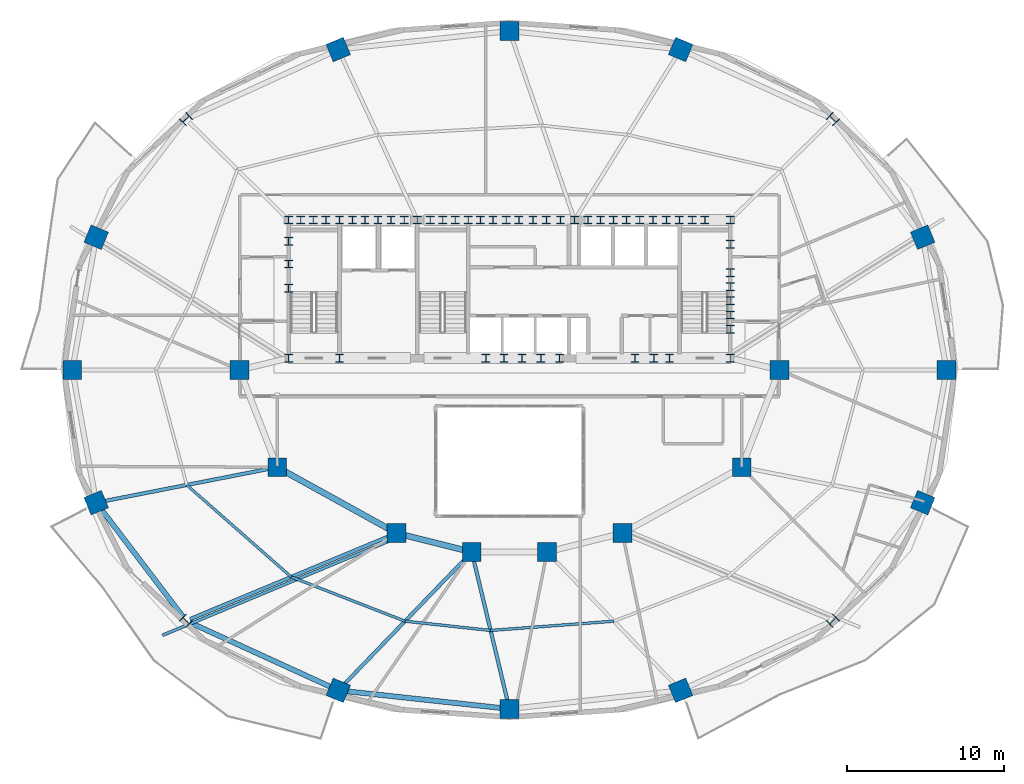
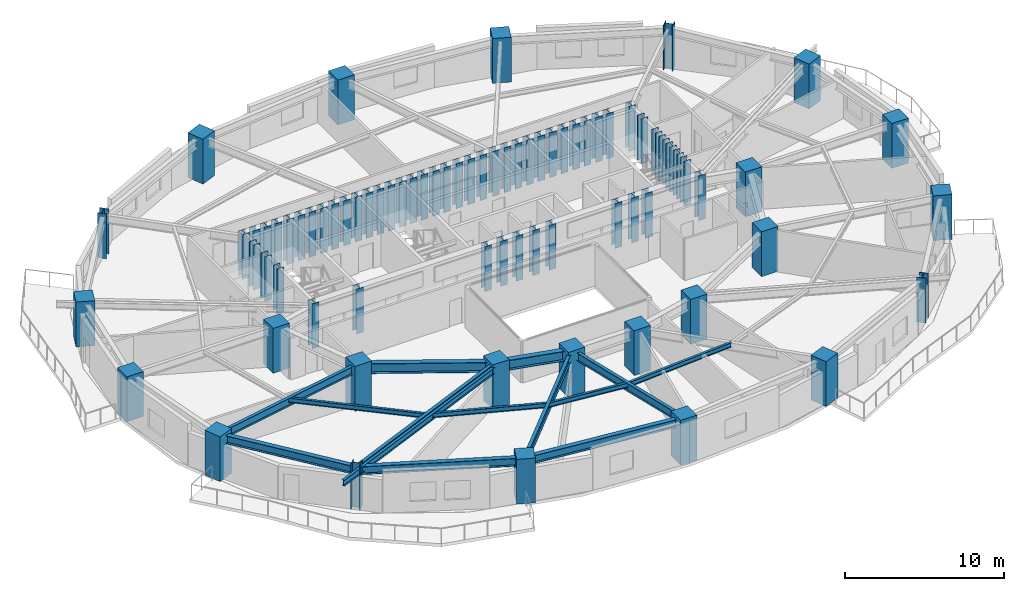
# One storey, part 1 of 12: 78 columns, 14 beams.
"""IFC4 building model written with IfcOpenShell, lengths in metres."""

from ifc_helpers import new_model, si_unit, direction, frame, origin, origin_2d, place, context, subcontext, project, spatial, rectangle, i_section, extrude, material, material_profile, profile_set, type_object, element, save


model = new_model("IFC4")

# Units and contexts
model_context = context("Model", 3, precision=1e-05, world=origin(), true_north=direction((0.0, 1.0)))
body_context = subcontext(model_context, "Body", "Model", "MODEL_VIEW")
ifc_project = project(units=[si_unit("LENGTHUNIT", "METRE"), si_unit("AREAUNIT", "SQUARE_METRE"), si_unit("VOLUMEUNIT", "CUBIC_METRE"), si_unit("PLANEANGLEUNIT", "RADIAN"), si_unit("MASSUNIT", "GRAM", prefix="KILO")], contexts=[model_context])

# Site, building, storey
site_placement = place(None, origin())
site = spatial("IfcSite", under=ifc_project, at=site_placement, CompositionType="ELEMENT")
building_placement = place(site_placement, origin())
building = spatial("IfcBuilding", under=site, at=building_placement, Name="Haldorwick Loom Tower", CompositionType="ELEMENT")
storey_placement = place(building_placement, frame((0.0, 0.0, 113.89990234375)))
storey = spatial("IfcBuildingStorey", under=building, at=storey_placement, Name="L30", CompositionType="ELEMENT", Elevation=113.89990234375)

# Columns
ifc_material_1 = material(Name="Concrete C60 (60 MPa)", Category="concrete")
ifc_material_profile_1 = material_profile(ifc_material_1, rectangle(XDim=1.199951171875, YDim=1.199951171875, at=origin_2d()), Name="RC1200X1200", Category="concrete")
ifc_profile_set_1 = profile_set([ifc_material_profile_1], Name="Concrete C60 (60 MPa)")
column_type_1 = type_object("IfcColumnType", Name="STR-COL-RC1200", PredefinedType="COLUMN", material=ifc_profile_set_1)
for number, where, z_axis, x_axis, name in (
    (1, (53.199951171875, 26.0, 0.0), (0.0, 0.0, 1.0), (1.0, 0.0, 0.0), "L30 Inner Column IC-01"),
    (2, (50.800048828125, 19.800048828125, 0.0), (0.0, 0.0, 1.0), (1.0, 0.0, 0.0), "L30 Inner Column IC-02"),
    (3, (43.199951171875, 15.60009765625, 0.0), (0.0, 0.0, 1.0), (1.0, 0.0, 0.0), "L30 Inner Column IC-03"),
    (4, (38.39990234375, 14.39990234375, 0.0), (0.0, 0.0, 1.0), (1.0, 0.0, 0.0), "L30 Inner Column IC-04"),
    (5, (33.60009765625, 14.39990234375, 0.0), (0.0, 0.0, 1.0), (1.0, 0.0, 0.0), "L30 Inner Column IC-05"),
    (6, (28.800048828125, 15.60009765625, 0.0), (0.0, 0.0, 1.0), (1.0, 0.0, 0.0), "L30 Inner Column IC-06"),
    (7, (21.199951171875, 19.800048828125, 0.0), (0.0, 0.0, 1.0), (1.0, 0.0, 0.0), "L30 Inner Column IC-07"),
    (8, (18.800048828125, 26.0, 0.0), (0.0, 0.0, 1.0), (1.0, 0.0, 0.0), "L30 Inner Column IC-08"),
    (9, (63.857666015625, 26.0, 0.0), (0.0, 0.0, 1.0), (1.0, 0.0, 0.0), "L30 Perimeter Pier Column P01"),
    (10, (62.33056640625, 34.457275390625, 0.0), (0.0, 0.0, 1.0), (0.923879532511, 0.382683432365, 0.0), "L30 Perimeter Pier Column P02"),
    (11, (46.906494140625, 46.417724609375, 0.0), (0.0, 0.0, 1.0), (0.382683432365, 0.923879532511, 0.0), "L30 Perimeter Pier Column P04"),
    (12, (36.0, 47.598388671875, 0.0), (0.0, 0.0, 1.0), (0.0, 1.0, 0.0), "L30 Perimeter Pier Column P05"),
    (13, (25.093505859375, 46.417724609375, 0.0), (0.0, 0.0, 1.0), (-0.382683432365, 0.923879532511, 0.0), "L30 Perimeter Pier Column P06"),
    (14, (9.66943359375, 34.457275390625, 0.0), (0.0, 0.0, 1.0), (-0.923879532511, 0.382683432365, 0.0), "L30 Perimeter Pier Column P08"),
    (15, (8.142333984375, 26.0, 0.0), (0.0, 0.0, 1.0), (-1.0, 0.0, 0.0), "L30 Perimeter Pier Column P09"),
    (16, (9.66943359375, 17.542724609375, 0.0), (0.0, 0.0, 1.0), (-0.923879532511, -0.382683432365, 0.0), "L30 Perimeter Pier Column P10"),
    (17, (25.093505859375, 5.582275390625, 0.0), (0.0, 0.0, 1.0), (-0.382683432365, -0.923879532511, 0.0), "L30 Perimeter Pier Column P12"),
    (18, (36.0, 4.401611328125, 0.0), (0.0, 0.0, 1.0), (0.0, -1.0, 0.0), "L30 Perimeter Pier Column P13"),
    (19, (46.906494140625, 5.582275390625, 0.0), (0.0, 0.0, 1.0), (0.382683432365, -0.923879532511, 0.0), "L30 Perimeter Pier Column P14"),
    (20, (62.33056640625, 17.542724609375, 0.0), (0.0, 0.0, 1.0), (0.923879532511, -0.382683432365, 0.0), "L30 Perimeter Pier Column P16"),
):
    element("IfcColumn", number, at=place(storey_placement, frame(where, z_axis=z_axis, x_axis=x_axis)), inside=storey, type_object=column_type_1, Name=name, PredefinedType="COLUMN", context=body_context, shape_type="SweptSolid", body=[
        extrude(rectangle(XDim=1.199951171875, YDim=1.199951171875, at=origin_2d()), origin(), (0.0, 0.0, 1.0), 3.4501953125),
    ])
ifc_material_2 = material(Name="Steel CSA G40.21 350WT", Category="steel")
ifc_material_profile_2 = material_profile(ifc_material_2, i_section(OverallWidth=0.5, OverallDepth=0.5, WebThickness=0.02197265625, FlangeThickness=0.031982421875, at=origin_2d()), Name="WWF500X500", Category="steel")
ifc_profile_set_2 = profile_set([ifc_material_profile_2], Name="Steel CSA G40.21 350WT")
column_type_2 = type_object("IfcColumnType", Name="STR-COL-WWF500", PredefinedType="COLUMN", material=ifc_profile_set_2)
for number, where, z_axis, x_axis, name in (
    (21, (21.929931640625, 35.550048828125, 0.0), (0.0, 0.0, 1.0), (1.0, 0.0, 0.0), "L30 Core Pilaster CB-01"),
    (22, (23.5, 35.550048828125, 0.0), (0.0, 0.0, 1.0), (1.0, 0.0, 0.0), "L30 Core Pilaster CB-02"),
    (23, (25.169921875, 35.550048828125, 0.0), (0.0, 0.0, 1.0), (1.0, 0.0, 0.0), "L30 Core Pilaster CB-03"),
    (24, (26.800048828125, 35.550048828125, 0.0), (0.0, 0.0, 1.0), (1.0, 0.0, 0.0), "L30 Core Pilaster CB-04"),
    (25, (28.449951171875, 35.550048828125, 0.0), (0.0, 0.0, 1.0), (1.0, 0.0, 0.0), "L30 Core Pilaster CB-05"),
    (26, (30.1298828125, 35.550048828125, 0.0), (0.0, 0.0, 1.0), (1.0, 0.0, 0.0), "L30 Core Pilaster CB-06"),
    (27, (31.75, 35.550048828125, 0.0), (0.0, 0.0, 1.0), (1.0, 0.0, 0.0), "L30 Core Pilaster CB-07"),
    (28, (33.3701171875, 35.550048828125, 0.0), (0.0, 0.0, 1.0), (1.0, 0.0, 0.0), "L30 Core Pilaster CB-08"),
    (29, (34.949951171875, 35.550048828125, 0.0), (0.0, 0.0, 1.0), (1.0, 0.0, 0.0), "L30 Core Pilaster CB-09"),
    (30, (36.60009765625, 35.550048828125, 0.0), (0.0, 0.0, 1.0), (1.0, 0.0, 0.0), "L30 Core Pilaster CB-10"),
    (31, (38.35009765625, 35.550048828125, 0.0), (0.0, 0.0, 1.0), (1.0, 0.0, 0.0), "L30 Core Pilaster CB-11"),
    (32, (40.14990234375, 35.550048828125, 0.0), (0.0, 0.0, 1.0), (1.0, 0.0, 0.0), "L30 Core Pilaster CB-12"),
    (33, (41.800048828125, 35.550048828125, 0.0), (0.0, 0.0, 1.0), (1.0, 0.0, 0.0), "L30 Core Pilaster CB-13"),
    (34, (43.449951171875, 35.550048828125, 0.0), (0.0, 0.0, 1.0), (1.0, 0.0, 0.0), "L30 Core Pilaster CB-14"),
    (35, (45.14990234375, 35.550048828125, 0.0), (0.0, 0.0, 1.0), (1.0, 0.0, 0.0), "L30 Core Pilaster CB-15"),
    (36, (46.830078125, 35.550048828125, 0.0), (0.0, 0.0, 1.0), (1.0, 0.0, 0.0), "L30 Core Pilaster CB-16"),
    (37, (48.449951171875, 35.550048828125, 0.0), (0.0, 0.0, 1.0), (1.0, 0.0, 0.0), "L30 Core Pilaster CB-17"),
    (38, (50.070068359375, 35.550048828125, 0.0), (0.0, 0.0, 1.0), (1.0, 0.0, 0.0), "L30 Core Pilaster CB-18"),
    (39, (21.929931640625, 26.75, 0.0), (0.0, 0.0, 1.0), (1.0, 0.0, 0.0), "L30 Core Pilaster CB-19"),
    (40, (25.169921875, 26.75, 0.0), (0.0, 0.0, 1.0), (1.0, 0.0, 0.0), "L30 Core Pilaster CB-20"),
    (41, (34.5, 26.75, 0.0), (0.0, 0.0, 1.0), (1.0, 0.0, 0.0), "L30 Core Pilaster CB-21"),
    (42, (36.800048828125, 26.75, 0.0), (0.0, 0.0, 1.0), (1.0, 0.0, 0.0), "L30 Core Pilaster CB-22"),
    (43, (39.199951171875, 26.75, 0.0), (0.0, 0.0, 1.0), (1.0, 0.0, 0.0), "L30 Core Pilaster CB-23"),
    (44, (45.199951171875, 26.75, 0.0), (0.0, 0.0, 1.0), (1.0, 0.0, 0.0), "L30 Core Pilaster CB-24"),
    (45, (50.070068359375, 26.75, 0.0), (0.0, 0.0, 1.0), (1.0, 0.0, 0.0), "L30 Core Pilaster CB-25"),
    (46, (21.929931640625, 31.199951171875, 0.0), (0.0, 0.0, 1.0), (1.0, 0.0, 0.0), "L30 Core Pilaster CB-26"),
    (47, (21.929931640625, 32.75, 0.0), (0.0, 0.0, 1.0), (1.0, 0.0, 0.0), "L30 Core Pilaster CB-27"),
    (48, (21.929931640625, 34.199951171875, 0.0), (0.0, 0.0, 1.0), (1.0, 0.0, 0.0), "L30 Core Pilaster CB-28"),
    (49, (50.070068359375, 28.60009765625, 0.0), (0.0, 0.0, 1.0), (1.0, 0.0, 0.0), "L30 Core Pilaster CB-29"),
    (50, (50.070068359375, 30.39990234375, 0.0), (0.0, 0.0, 1.0), (1.0, 0.0, 0.0), "L30 Core Pilaster CB-30"),
    (51, (50.070068359375, 32.199951171875, 0.0), (0.0, 0.0, 1.0), (1.0, 0.0, 0.0), "L30 Core Pilaster CB-31"),
    (52, (50.070068359375, 34.0, 0.0), (0.0, 0.0, 1.0), (1.0, 0.0, 0.0), "L30 Core Pilaster CB-32"),
    (53, (22.699951171875, 35.550048828125, 0.0), (0.0, 0.0, 1.0), (1.0, 0.0, 0.0), "L30 Core Pilaster CB-33"),
    (54, (27.6201171875, 35.550048828125, 0.0), (0.0, 0.0, 1.0), (1.0, 0.0, 0.0), "L30 Core Pilaster CB-34"),
    (55, (32.550048828125, 35.550048828125, 0.0), (0.0, 0.0, 1.0), (1.0, 0.0, 0.0), "L30 Core Pilaster CB-35"),
    (56, (37.5, 35.550048828125, 0.0), (0.0, 0.0, 1.0), (1.0, 0.0, 0.0), "L30 Core Pilaster CB-36"),
    (57, (42.6201171875, 35.550048828125, 0.0), (0.0, 0.0, 1.0), (1.0, 0.0, 0.0), "L30 Core Pilaster CB-37"),
    (58, (47.64990234375, 35.550048828125, 0.0), (0.0, 0.0, 1.0), (1.0, 0.0, 0.0), "L30 Core Pilaster CB-38"),
    (59, (24.300048828125, 35.550048828125, 0.0), (0.0, 0.0, 1.0), (1.0, 0.0, 0.0), "L30 Core Pilaster CB-39"),
    (60, (26.0, 35.550048828125, 0.0), (0.0, 0.0, 1.0), (1.0, 0.0, 0.0), "L30 Core Pilaster CB-40"),
    (61, (29.300048828125, 35.550048828125, 0.0), (0.0, 0.0, 1.0), (1.0, 0.0, 0.0), "L30 Core Pilaster CB-41"),
    (62, (30.949951171875, 35.550048828125, 0.0), (0.0, 0.0, 1.0), (1.0, 0.0, 0.0), "L30 Core Pilaster CB-42"),
    (63, (34.14990234375, 35.550048828125, 0.0), (0.0, 0.0, 1.0), (1.0, 0.0, 0.0), "L30 Core Pilaster CB-43"),
    (64, (35.800048828125, 35.550048828125, 0.0), (0.0, 0.0, 1.0), (1.0, 0.0, 0.0), "L30 Core Pilaster CB-44"),
    (65, (39.25, 35.550048828125, 0.0), (0.0, 0.0, 1.0), (1.0, 0.0, 0.0), "L30 Core Pilaster CB-45"),
    (66, (41.0, 35.550048828125, 0.0), (0.0, 0.0, 1.0), (1.0, 0.0, 0.0), "L30 Core Pilaster CB-46"),
    (67, (44.300048828125, 35.550048828125, 0.0), (0.0, 0.0, 1.0), (1.0, 0.0, 0.0), "L30 Core Pilaster CB-47"),
    (68, (46.0, 35.550048828125, 0.0), (0.0, 0.0, 1.0), (1.0, 0.0, 0.0), "L30 Core Pilaster CB-48"),
    (69, (50.070068359375, 29.5, 0.0), (0.0, 0.0, 1.0), (1.0, 0.0, 0.0), "L30 Core Pilaster CB-49"),
    (70, (50.070068359375, 31.300048828125, 0.0), (0.0, 0.0, 1.0), (1.0, 0.0, 0.0), "L30 Core Pilaster CB-50"),
    (71, (35.64990234375, 26.75, 0.0), (0.0, 0.0, 1.0), (1.0, 0.0, 0.0), "L30 Core Pilaster CB-51"),
    (72, (38.0, 26.75, 0.0), (0.0, 0.0, 1.0), (1.0, 0.0, 0.0), "L30 Core Pilaster CB-52"),
    (73, (44.0, 26.75, 0.0), (0.0, 0.0, 1.0), (1.0, 0.0, 0.0), "L30 Core Pilaster CB-53"),
    (74, (46.199951171875, 26.75, 0.0), (0.0, 0.0, 1.0), (1.0, 0.0, 0.0), "L30 Core Pilaster CB-54"),
):
    element("IfcColumn", number, at=place(storey_placement, frame(where, z_axis=z_axis, x_axis=x_axis)), inside=storey, type_object=column_type_2, Name=name, PredefinedType="COLUMN", context=body_context, shape_type="SweptSolid", body=[
        extrude(i_section(OverallWidth=0.5, OverallDepth=0.5, WebThickness=0.02197265625, FlangeThickness=0.031982421875, at=origin_2d()), origin(), (0.0, 0.0, 1.0), 3.4501953125),
    ])
ifc_material_profile_3 = material_profile(ifc_material_2, i_section(OverallWidth=0.60009765625, OverallDepth=0.60009765625, WebThickness=0.02490234375, FlangeThickness=0.035888671875, at=origin_2d()), Name="WWF600X600", Category="steel")
ifc_profile_set_3 = profile_set([ifc_material_profile_3], Name="Steel CSA G40.21 350WT")
column_type_3 = type_object("IfcColumnType", Name="STR-COL-WWF600", PredefinedType="COLUMN", material=ifc_profile_set_3)
for number, where, z_axis, x_axis, name in (
    (75, (56.606689453125, 41.981689453125, 0.0), (0.0, 0.0, 1.0), (0.707106781187, 0.707106781187, 0.0), "L30 Perimeter Pier Column P03"),
    (76, (15.393310546875, 41.981689453125, 0.0), (0.0, 0.0, 1.0), (-0.707106781187, 0.707106781187, 0.0), "L30 Perimeter Pier Column P07"),
    (77, (15.393310546875, 10.018310546875, 0.0), (0.0, 0.0, 1.0), (-0.707106781187, -0.707106781187, 0.0), "L30 Perimeter Pier Column P11"),
    (78, (56.606689453125, 10.018310546875, 0.0), (0.0, 0.0, 1.0), (0.707106781187, -0.707106781187, 0.0), "L30 Perimeter Pier Column P15"),
):
    element("IfcColumn", number, at=place(storey_placement, frame(where, z_axis=z_axis, x_axis=x_axis)), inside=storey, type_object=column_type_3, Name=name, PredefinedType="COLUMN", context=body_context, shape_type="SweptSolid", body=[
        extrude(i_section(OverallWidth=0.60009765625, OverallDepth=0.60009765625, WebThickness=0.02490234375, FlangeThickness=0.035888671875, at=origin_2d()), origin(), (0.0, 0.0, 1.0), 3.4501953125),
    ])

# Beams
ifc_material_3 = material(Name="Steel CSA G40.21 350W", Category="steel")
ifc_material_profile_4 = material_profile(ifc_material_3, i_section(OverallWidth=0.193115234375, OverallDepth=0.466064453125, WebThickness=0.011474609375, FlangeThickness=0.01904296875, at=origin_2d()), Name="W460X97", Category="steel")
ifc_profile_set_4 = profile_set([ifc_material_profile_4], Name="Steel CSA G40.21 350W")
beam_type_1 = type_object("IfcBeamType", Name="STR-BM-BAL460", PredefinedType="BEAM", material=ifc_profile_set_4)
beam_1_placement = place(storey_placement, frame((28.427490234375, 15.1416015625, 2.97705078125), z_axis=(-0.923185561192, -0.38435454935, 0.0), x_axis=(0.38435454935, -0.923185561192, 0.0)))
element("IfcBeam", 79, at=beam_1_placement, inside=storey, type_object=beam_type_1, Name="L30 Continuous Back-Spanned Balcony Beam 2", PredefinedType="BEAM", context=body_context, shape_type="SweptSolid", body=[
    extrude(i_section(OverallWidth=0.193115234375, OverallDepth=0.466064453125, WebThickness=0.011474609375, FlangeThickness=0.01904296875, at=origin_2d()), origin(), (0.0, 0.0, 1.0), 15.752197265625),
])
ifc_material_profile_5 = material_profile(ifc_material_3, i_section(OverallWidth=0.172119140625, OverallDepth=0.35791015625, WebThickness=0.0078125, FlangeThickness=0.01318359375, at=origin_2d()), Name="W360X57", Category="steel")
ifc_profile_set_5 = profile_set([ifc_material_profile_5], Name="Steel CSA G40.21 350W")
beam_type_2 = type_object("IfcBeamType", Name="STR-BM-J360", PredefinedType="JOIST", material=ifc_profile_set_5)
beam_2_placement = place(storey_placement, frame((15.434814453125, 18.67138671875, 3.031005859375), z_axis=(0.750721157729, -0.660619212057, 0.0), x_axis=(0.660619212057, 0.750721157729, 0.0)))
element("IfcBeam", 80, at=beam_2_placement, inside=storey, type_object=beam_type_2, Name="L30 Mid-Bay Secondary Joist 10", PredefinedType="JOIST", context=body_context, shape_type="SweptSolid", body=[
    extrude(i_section(OverallWidth=0.172119140625, OverallDepth=0.35791015625, WebThickness=0.0078125, FlangeThickness=0.01318359375, at=origin_2d()), origin(), (0.0, 0.0, 1.0), 8.8740234375),
])
beam_3_placement = place(storey_placement, frame((22.0966796875, 12.80908203125, 3.031005859375), z_axis=(0.932072983051, -0.362270553959, 0.0), x_axis=(0.362270553959, 0.932072983051, 0.0)))
element("IfcBeam", 81, at=beam_3_placement, inside=storey, type_object=beam_type_2, Name="L30 Mid-Bay Secondary Joist 11", PredefinedType="JOIST", context=body_context, shape_type="SweptSolid", body=[
    extrude(i_section(OverallWidth=0.172119140625, OverallDepth=0.35791015625, WebThickness=0.0078125, FlangeThickness=0.01318359375, at=origin_2d()), origin(), (0.0, 0.0, 1.0), 7.7783203125),
])
beam_4_placement = place(storey_placement, frame((29.3466796875, 9.9912109375, 3.031005859375), z_axis=(0.994191869342, -0.107622148904, 0.0), x_axis=(0.107622148904, 0.994191869342, 0.0)))
element("IfcBeam", 82, at=beam_4_placement, inside=storey, type_object=beam_type_2, Name="L30 Mid-Bay Secondary Joist 12", PredefinedType="JOIST", context=body_context, shape_type="SweptSolid", body=[
    extrude(i_section(OverallWidth=0.172119140625, OverallDepth=0.35791015625, WebThickness=0.0078125, FlangeThickness=0.01318359375, at=origin_2d()), origin(), (0.0, 0.0, 1.0), 5.485107421875),
])
beam_5_placement = place(storey_placement, frame((34.800048828125, 9.40087890625, 3.031005859375), z_axis=(0.99718663731, 0.074958724439, 0.0), x_axis=(-0.074958724439, 0.99718663731, 0.0)))
element("IfcBeam", 83, at=beam_5_placement, inside=storey, type_object=beam_type_2, Name="L30 Mid-Bay Secondary Joist 13", PredefinedType="JOIST", context=body_context, shape_type="SweptSolid", body=[
    extrude(i_section(OverallWidth=0.172119140625, OverallDepth=0.35791015625, WebThickness=0.0078125, FlangeThickness=0.01318359375, at=origin_2d()), origin(), (0.0, 0.0, 1.0), 7.87548828125),
])
ifc_material_profile_6 = material_profile(ifc_material_3, i_section(OverallWidth=0.324951171875, OverallDepth=0.615966796875, WebThickness=0.013916015625, FlangeThickness=0.021484375, at=origin_2d()), Name="W610X174", Category="steel")
ifc_profile_set_6 = profile_set([ifc_material_profile_6], Name="Steel CSA G40.21 350W")
beam_type_3 = type_object("IfcBeamType", Name="STR-BM-SP610", PredefinedType="SPANDREL", material=ifc_profile_set_6)
beam_6_placement = place(storey_placement, frame((9.984130859375, 17.12890625, 2.902099609375), z_axis=(0.605453508047, -0.795880675475, 0.0), x_axis=(0.795880675475, 0.605453508047, 0.0)))
element("IfcBeam", 84, at=beam_6_placement, inside=storey, type_object=beam_type_3, Name="L30 Perimeter Spandrel 10", PredefinedType="SPANDREL", context=body_context, shape_type="SweptSolid", body=[
    extrude(i_section(OverallWidth=0.324951171875, OverallDepth=0.615966796875, WebThickness=0.013916015625, FlangeThickness=0.021484375, at=origin_2d()), origin(), (0.0, 0.0, 1.0), 8.6591796875),
])
beam_7_placement = place(storey_placement, frame((15.643310546875, 9.90380859375, 2.902099609375), z_axis=(0.909423969306, -0.415870225011, 0.0), x_axis=(0.415870225011, 0.909423969306, 0.0)))
element("IfcBeam", 85, at=beam_7_placement, inside=storey, type_object=beam_type_3, Name="L30 Perimeter Spandrel 11", PredefinedType="SPANDREL", context=body_context, shape_type="SweptSolid", body=[
    extrude(i_section(OverallWidth=0.324951171875, OverallDepth=0.615966796875, WebThickness=0.013916015625, FlangeThickness=0.021484375, at=origin_2d()), origin(), (0.0, 0.0, 1.0), 9.871337890625),
])
beam_8_placement = place(storey_placement, frame((25.610595703125, 5.5263671875, 2.902099609375), z_axis=(0.994190135627, -0.107638163409, 0.0), x_axis=(0.107638163409, 0.994190135627, 0.0)))
element("IfcBeam", 86, at=beam_8_placement, inside=storey, type_object=beam_type_3, Name="L30 Perimeter Spandrel 12", PredefinedType="SPANDREL", context=body_context, shape_type="SweptSolid", body=[
    extrude(i_section(OverallWidth=0.324951171875, OverallDepth=0.615966796875, WebThickness=0.013916015625, FlangeThickness=0.021484375, at=origin_2d()), origin(), (0.0, 0.0, 1.0), 9.929931640625),
])
ifc_material_profile_7 = material_profile(ifc_material_3, i_section(OverallWidth=0.22998046875, OverallDepth=0.616943359375, WebThickness=0.01318359375, FlangeThickness=0.022216796875, at=origin_2d()), Name="W610X140", Category="steel")
ifc_profile_set_7 = profile_set([ifc_material_profile_7], Name="Steel CSA G40.21 350W")
beam_type_4 = type_object("IfcBeamType", Name="STR-BM-W610B", PredefinedType="BEAM", material=ifc_profile_set_7)
beam_9_placement = place(storey_placement, frame((20.689697265625, 19.7001953125, 2.901611328125), z_axis=(-0.981369581426, -0.192129499692, 0.0), x_axis=(0.192129499692, -0.981369581426, 0.0)))
element("IfcBeam", 87, at=beam_9_placement, inside=storey, type_object=beam_type_4, Name="L30 Radial Floor Girder 10", PredefinedType="BEAM", context=body_context, shape_type="SweptSolid", body=[
    extrude(i_section(OverallWidth=0.22998046875, OverallDepth=0.616943359375, WebThickness=0.01318359375, FlangeThickness=0.022216796875, at=origin_2d()), origin(), (0.0, 0.0, 1.0), 10.70947265625),
])
beam_10_placement = place(storey_placement, frame((28.31982421875, 15.400146484375, 2.901611328125), z_axis=(-0.923183704764, -0.384359008297, 0.0), x_axis=(0.384359008297, -0.923183704764, 0.0)))
element("IfcBeam", 88, at=beam_10_placement, inside=storey, type_object=beam_type_4, Name="L30 Radial Floor Girder 11", PredefinedType="BEAM", context=body_context, shape_type="SweptSolid", body=[
    extrude(i_section(OverallWidth=0.22998046875, OverallDepth=0.616943359375, WebThickness=0.01318359375, FlangeThickness=0.022216796875, at=origin_2d()), origin(), (0.0, 0.0, 1.0), 13.72705078125),
])
beam_11_placement = place(storey_placement, frame((33.239013671875, 14.02587890625, 2.901611328125), z_axis=(-0.694287071595, -0.719698174387, 0.0), x_axis=(0.719698174387, -0.694287071595, 0.0)))
element("IfcBeam", 89, at=beam_11_placement, inside=storey, type_object=beam_type_4, Name="L30 Radial Floor Girder 12", PredefinedType="BEAM", context=body_context, shape_type="SweptSolid", body=[
    extrude(i_section(OverallWidth=0.22998046875, OverallDepth=0.616943359375, WebThickness=0.01318359375, FlangeThickness=0.022216796875, at=origin_2d()), origin(), (0.0, 0.0, 1.0), 11.212158203125),
])
beam_12_placement = place(storey_placement, frame((33.721435546875, 13.894287109375, 2.901611328125), z_axis=(0.233406920764, -0.972379148964, 0.0), x_axis=(0.972379148964, 0.233406920764, 0.0)))
element("IfcBeam", 90, at=beam_12_placement, inside=storey, type_object=beam_type_4, Name="L30 Radial Floor Girder 13", PredefinedType="BEAM", context=body_context, shape_type="SweptSolid", body=[
    extrude(i_section(OverallWidth=0.22998046875, OverallDepth=0.616943359375, WebThickness=0.01318359375, FlangeThickness=0.022216796875, at=origin_2d()), origin(), (0.0, 0.0, 1.0), 9.242431640625),
])
ifc_material_profile_8 = material_profile(ifc_material_3, i_section(OverallWidth=0.381103515625, OverallDepth=0.77294921875, WebThickness=0.0166015625, FlangeThickness=0.027587890625, at=origin_2d()), Name="W760X257", Category="steel")
ifc_profile_set_8 = profile_set([ifc_material_profile_8], Name="Steel CSA G40.21 350W")
beam_type_5 = type_object("IfcBeamType", Name="STR-BM-W760", PredefinedType="BEAM", material=ifc_profile_set_8)
beam_13_placement = place(storey_placement, frame((33.095458984375, 14.526123046875, 2.823486328125), z_axis=(-0.970142500145, 0.242535625036, 0.0), x_axis=(-0.242535625036, -0.970142500145, 0.0)))
element("IfcBeam", 91, at=beam_13_placement, inside=storey, type_object=beam_type_5, Name="L30 Inner Ring Girder 6", PredefinedType="BEAM", context=body_context, shape_type="SweptSolid", body=[
    extrude(i_section(OverallWidth=0.381103515625, OverallDepth=0.77294921875, WebThickness=0.0166015625, FlangeThickness=0.027587890625, at=origin_2d()), origin(), (0.0, 0.0, 1.0), 3.90771484375),
])
beam_14_placement = place(storey_placement, frame((28.344970703125, 15.8515625, 2.823486328125), z_axis=(-0.875244382146, 0.483680960471, 0.0), x_axis=(-0.483680960471, -0.875244382146, 0.0)))
element("IfcBeam", 92, at=beam_14_placement, inside=storey, type_object=beam_type_5, Name="L30 Inner Ring Girder 7", PredefinedType="BEAM", context=body_context, shape_type="SweptSolid", body=[
    extrude(i_section(OverallWidth=0.381103515625, OverallDepth=0.77294921875, WebThickness=0.0166015625, FlangeThickness=0.027587890625, at=origin_2d()), origin(), (0.0, 0.0, 1.0), 7.6435546875),
])

save(model, "model.ifc")
